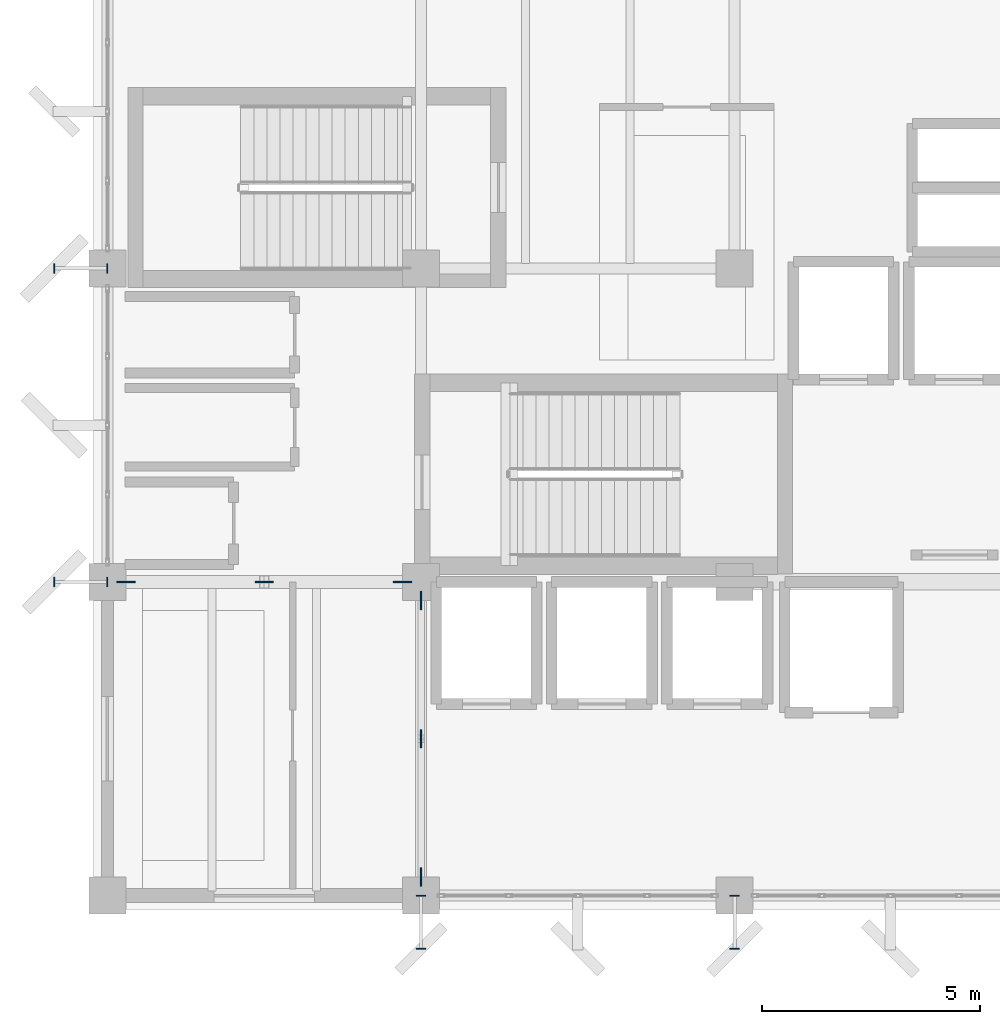
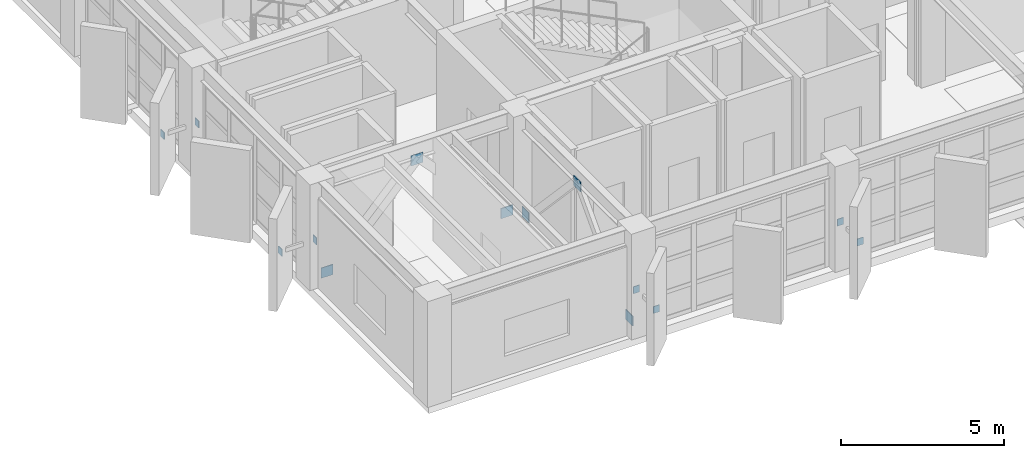
# One storey, part 45 of 59: 14 discrete accessories.
"""IFC4 building model written with IfcOpenShell, lengths in metres."""

from ifc_helpers import new_model, si_unit, direction, frame, origin, origin_2d, place, context, subcontext, project, spatial, rectangle, extrude, material, type_object, element, save


model = new_model("IFC4")

# Units and contexts
model_context = context("Model", 3, precision=1e-05, world=origin(), true_north=direction((0.0, 1.0)))
body_context = subcontext(model_context, "Body", "Model", "MODEL_VIEW")
ifc_project = project(units=[si_unit("LENGTHUNIT", "METRE"), si_unit("AREAUNIT", "SQUARE_METRE"), si_unit("VOLUMEUNIT", "CUBIC_METRE"), si_unit("PLANEANGLEUNIT", "RADIAN"), si_unit("MASSUNIT", "GRAM", prefix="KILO")], contexts=[model_context])

# Site, building, storey
site_placement = place(None, origin())
site = spatial("IfcSite", under=ifc_project, at=site_placement, CompositionType="ELEMENT")
building_placement = place(site_placement, origin())
building = spatial("IfcBuilding", under=site, at=building_placement, Name="Kandorven Conservatory and Botanical Research Centre", CompositionType="ELEMENT")
storey_placement = place(building_placement, frame((0.0, 0.0, 4.800048828125)))
storey = spatial("IfcBuildingStorey", under=building, at=storey_placement, Name="L01", CompositionType="ELEMENT", Elevation=4.800048828125)

# Discrete accessories
ifc_material_1 = material(Name="Steel S355 (IS 2062 E350)", Category="steel")
discrete_accessory_type_1 = type_object("IfcDiscreteAccessoryType", Name="BraceGussetPlate", PredefinedType="BRACKET", material=ifc_material_1)
for number, where, z_axis, x_axis, name in (
    (1, (6.425048828125, 13.199951171875, -0.010009765625), (0.0, 0.0, 1.0), (1.0, 0.0, 0.0), "Welded chevron brace gusset plate L01 X-W"),
    (2, (9.60009765625, 13.199951171875, 3.070068359375), (0.0, 0.0, 1.0), (1.0, 0.0, 0.0), "Welded chevron brace gusset plate L01 X-M"),
    (3, (12.77490234375, 13.199951171875, -0.010009765625), (0.0, 0.0, 1.0), (1.0, 0.0, 0.0), "Welded chevron brace gusset plate L01 X-E"),
):
    element("IfcDiscreteAccessory", number, at=place(storey_placement, frame(where, z_axis=z_axis, x_axis=x_axis)), inside=storey, type_object=discrete_accessory_type_1, Name=name, PredefinedType="BRACKET", context=body_context, shape_type="SweptSolid", body=[
        extrude(rectangle(XDim=0.419921875, YDim=0.028076171875, at=origin_2d()), origin(), (0.0, 0.0, 1.0), 0.3798828125),
    ])
for number, where, z_axis, x_axis, name in (
    (4, (13.199951171875, 6.425048828125, -0.010009765625), (0.0, 0.0, 1.0), (1.0, 0.0, 0.0), "Welded chevron brace gusset plate L01 Y-S"),
    (5, (13.199951171875, 9.60009765625, 3.070068359375), (0.0, 0.0, 1.0), (1.0, 0.0, 0.0), "Welded chevron brace gusset plate L01 Y-M"),
    (6, (13.199951171875, 12.77490234375, -0.010009765625), (0.0, 0.0, 1.0), (1.0, 0.0, 0.0), "Welded chevron brace gusset plate L01 Y-N"),
):
    element("IfcDiscreteAccessory", number, at=place(storey_placement, frame(where, z_axis=z_axis, x_axis=x_axis)), inside=storey, type_object=discrete_accessory_type_1, Name=name, PredefinedType="BRACKET", context=body_context, shape_type="SweptSolid", body=[
        extrude(rectangle(XDim=0.028076171875, YDim=0.419921875, at=origin_2d()), origin(), (0.0, 0.0, 1.0), 0.3798828125),
    ])
ifc_material_2 = material(Name="Steel S355 (IS 2062 E350)", Category="steel")
discrete_accessory_type_2 = type_object("IfcDiscreteAccessoryType", Name="SteelGussetPlate", PredefinedType="BRACKET", material=ifc_material_2)
for number, where, z_axis, x_axis, name in (
    (7, (13.199951171875, 6.0, 1.3701171875), (0.0, 0.0, 1.0), (1.0, 0.0, 0.0), "Welded steel strut end-plate GUS-01 #1A"),
    (8, (13.199951171875, 4.780029296875, 1.3701171875), (0.0, 0.0, 1.0), (1.0, 0.0, 0.0), "Welded steel strut end-plate GUS-01 #1B"),
    (9, (20.39990234375, 6.0, 1.3701171875), (0.0, 0.0, 1.0), (1.0, 0.0, 0.0), "Welded steel strut end-plate GUS-01 #3A"),
    (10, (20.39990234375, 4.780029296875, 1.3701171875), (0.0, 0.0, 1.0), (1.0, 0.0, 0.0), "Welded steel strut end-plate GUS-01 #3B"),
):
    element("IfcDiscreteAccessory", number, at=place(storey_placement, frame(where, z_axis=z_axis, x_axis=x_axis)), inside=storey, type_object=discrete_accessory_type_2, Name=name, PredefinedType="BRACKET", context=body_context, shape_type="SweptSolid", body=[
        extrude(rectangle(XDim=0.219970703125, YDim=0.02392578125, at=origin_2d()), origin(), (0.0, 0.0, 1.0), 0.260009765625),
    ])
for number, where, z_axis, x_axis, name in (
    (11, (6.0, 13.199951171875, 1.3701171875), (0.0, 0.0, 1.0), (1.0, 0.0, 0.0), "Welded steel strut end-plate GUS-01 #7A"),
    (12, (4.780029296875, 13.199951171875, 1.3701171875), (0.0, 0.0, 1.0), (1.0, 0.0, 0.0), "Welded steel strut end-plate GUS-01 #7B"),
    (13, (6.0, 20.39990234375, 1.3701171875), (0.0, 0.0, 1.0), (1.0, 0.0, 0.0), "Welded steel strut end-plate GUS-01 #9A"),
    (14, (4.780029296875, 20.39990234375, 1.3701171875), (0.0, 0.0, 1.0), (1.0, 0.0, 0.0), "Welded steel strut end-plate GUS-01 #9B"),
):
    element("IfcDiscreteAccessory", number, at=place(storey_placement, frame(where, z_axis=z_axis, x_axis=x_axis)), inside=storey, type_object=discrete_accessory_type_2, Name=name, PredefinedType="BRACKET", context=body_context, shape_type="SweptSolid", body=[
        extrude(rectangle(XDim=0.02392578125, YDim=0.219970703125, at=origin_2d()), origin(), (0.0, 0.0, 1.0), 0.260009765625),
    ])

save(model, "model.ifc")
